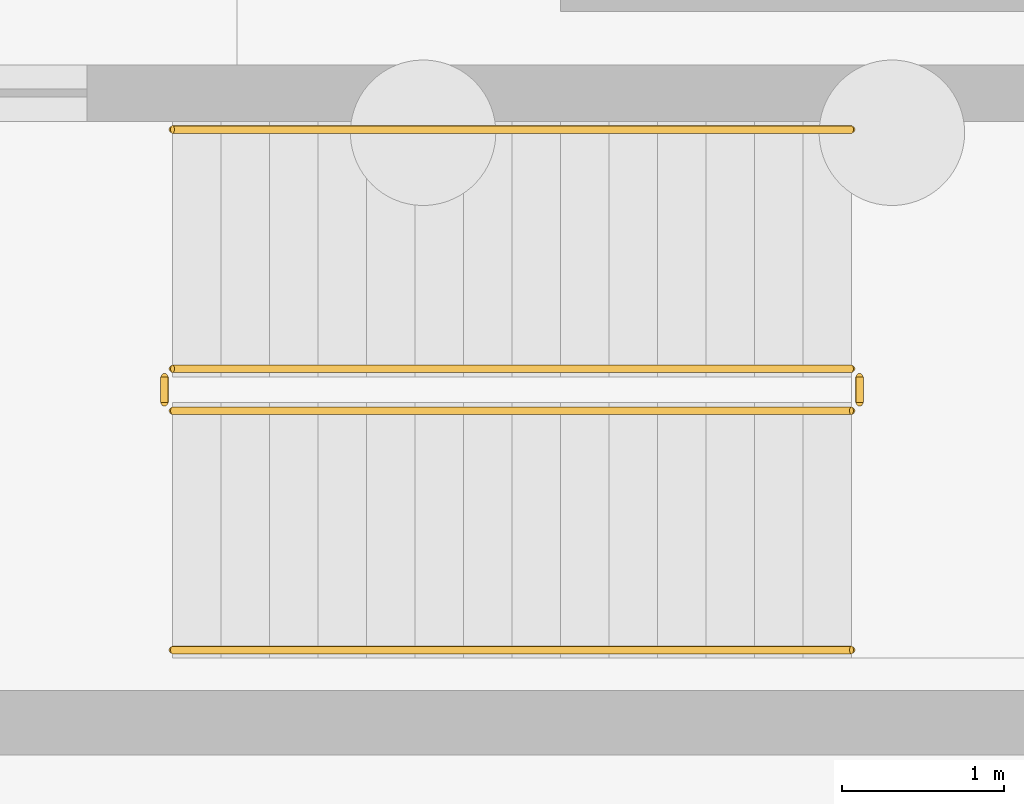
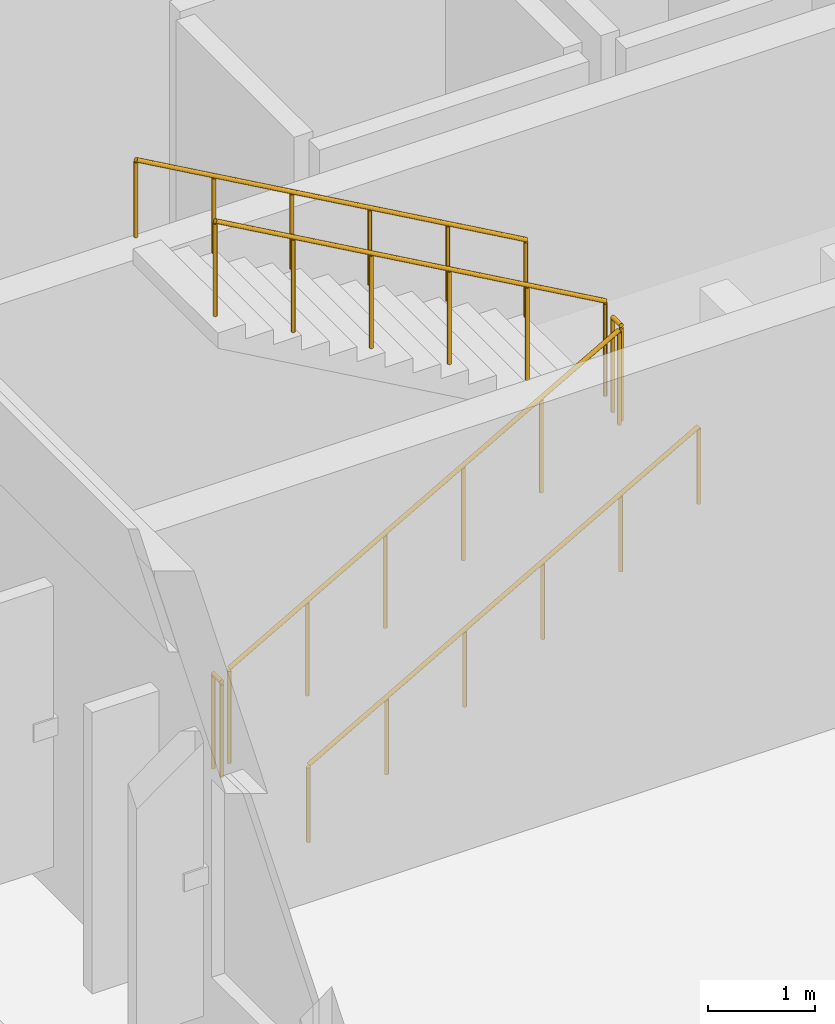
# One storey, part 82 of 94: 6 railings.
"""IFC4 building model written with IfcOpenShell, lengths in metres."""

from ifc_helpers import new_model, si_unit, direction, frame, origin, origin_2d, place, context, subcontext, project, spatial, circle, extrude, material, type_object, element, save


model = new_model("IFC4")

# Units and contexts
model_context = context("Model", 3, precision=1e-05, world=origin(), true_north=direction((0.0, 1.0)))
body_context = subcontext(model_context, "Body", "Model", "MODEL_VIEW")
ifc_project = project(units=[si_unit("LENGTHUNIT", "METRE"), si_unit("AREAUNIT", "SQUARE_METRE"), si_unit("VOLUMEUNIT", "CUBIC_METRE"), si_unit("PLANEANGLEUNIT", "RADIAN"), si_unit("MASSUNIT", "GRAM", prefix="KILO")], contexts=[model_context])

# Site, building, storey
site_placement = place(None, origin())
site = spatial("IfcSite", under=ifc_project, at=site_placement, CompositionType="ELEMENT")
building_placement = place(site_placement, origin())
building = spatial("IfcBuilding", under=site, at=building_placement, Name="Vervanel Yard Central Library", CompositionType="ELEMENT")
storey_placement = place(building_placement, origin())
storey = spatial("IfcBuildingStorey", under=building, at=storey_placement, Name="L00", CompositionType="ELEMENT", Elevation=0.0)

# Railings
ifc_material_1 = material(Name="Brushed stainless steel AISI 316", Category="steel")
railing_type_1 = type_object("IfcRailingType", Name="Brushed Stainless Stair Handrail 900", PredefinedType="HANDRAIL", material=ifc_material_1)
railing_1_placement = place(storey_placement, frame((2.199951171875, 56.449951171875, 0.169921875)))
element("IfcRailing", 1, at=railing_1_placement, inside=storey, type_object=railing_type_1, Name="L00 ST-03 stair handrail 1", PredefinedType="HANDRAIL", context=body_context, shape_type="SweptSolid", body=[
    extrude(circle(Radius=0.02392578125, at=origin_2d()), frame((0.0, 0.0, 0.8759765625), z_axis=(0.870008446991, 0.0, 0.493036816236), x_axis=(0.0, 1.0, 0.0)), (0.0, 0.0, 1.0), 4.827392578125),
    extrude(circle(Radius=0.02099609375, at=origin_2d()), origin(), (0.0, 0.0, 1.0), 0.851806640625),
    extrude(circle(Radius=0.02099609375, at=origin_2d()), frame((0.840087890625, 0.0, 0.47607421875)), (0.0, 0.0, 1.0), 0.851806640625),
    extrude(circle(Radius=0.02099609375, at=origin_2d()), frame((1.679931640625, 0.0, 0.9521484375)), (0.0, 0.0, 1.0), 0.851806640625),
    extrude(circle(Radius=0.02099609375, at=origin_2d()), frame((2.52001953125, 0.0, 1.427978515625)), (0.0, 0.0, 1.0), 0.851806640625),
    extrude(circle(Radius=0.02099609375, at=origin_2d()), frame((3.35986328125, 0.0, 1.904052734375)), (0.0, 0.0, 1.0), 0.851806640625),
    extrude(circle(Radius=0.02099609375, at=origin_2d()), frame((4.199951171875, 0.0, 2.380126953125)), (0.0, 0.0, 1.0), 0.851806640625),
])
railing_2_placement = place(storey_placement, frame((6.39990234375, 59.669921875, 2.719970703125)))
element("IfcRailing", 2, at=railing_2_placement, inside=storey, type_object=railing_type_1, Name="L00 ST-03 stair handrail 2", PredefinedType="HANDRAIL", context=body_context, shape_type="SweptSolid", body=[
    extrude(circle(Radius=0.02392578125, at=origin_2d()), frame((0.0, 0.0, 0.8759765625), z_axis=(-0.870008446991, 0.0, 0.493036816236), x_axis=(0.0, -1.0, 0.0)), (0.0, 0.0, 1.0), 4.827392578125),
    extrude(circle(Radius=0.02099609375, at=origin_2d()), origin(), (0.0, 0.0, 1.0), 0.851806640625),
    extrude(circle(Radius=0.02099609375, at=origin_2d()), frame((-0.840087890625, 0.0, 0.47607421875)), (0.0, 0.0, 1.0), 0.851806640625),
    extrude(circle(Radius=0.02099609375, at=origin_2d()), frame((-1.679931640625, 0.0, 0.9521484375)), (0.0, 0.0, 1.0), 0.851806640625),
    extrude(circle(Radius=0.02099609375, at=origin_2d()), frame((-2.52001953125, 0.0, 1.427978515625)), (0.0, 0.0, 1.0), 0.851806640625),
    extrude(circle(Radius=0.02099609375, at=origin_2d()), frame((-3.35986328125, 0.0, 1.904052734375)), (0.0, 0.0, 1.0), 0.851806640625),
    extrude(circle(Radius=0.02099609375, at=origin_2d()), frame((-4.199951171875, 0.0, 2.380126953125)), (0.0, 0.0, 1.0), 0.851806640625),
])
ifc_material_2 = material(Name="Galvanized painted steelwork ASTM A500 Grade C", Category="steel")
railing_type_2 = type_object("IfcRailingType", Name="Painted Steel Guardrail 1100", PredefinedType="GUARDRAIL", material=ifc_material_2)
railing_3_placement = place(storey_placement, frame((2.199951171875, 57.929931640625, 0.169921875)))
element("IfcRailing", 3, at=railing_3_placement, inside=storey, type_object=railing_type_2, Name="L00 ST-03 stair guard 1", PredefinedType="GUARDRAIL", context=body_context, shape_type="SweptSolid", body=[
    extrude(circle(Radius=0.02392578125, at=origin_2d()), frame((0.0, 0.0, 1.076171875), z_axis=(0.870008446991, 0.0, 0.493036816236), x_axis=(0.0, 1.0, 0.0)), (0.0, 0.0, 1.0), 4.827392578125),
    extrude(circle(Radius=0.02099609375, at=origin_2d()), origin(), (0.0, 0.0, 1.0), 1.052001953125),
    extrude(circle(Radius=0.02099609375, at=origin_2d()), frame((0.840087890625, 0.0, 0.47607421875)), (0.0, 0.0, 1.0), 1.052001953125),
    extrude(circle(Radius=0.02099609375, at=origin_2d()), frame((1.679931640625, 0.0, 0.9521484375)), (0.0, 0.0, 1.0), 1.052001953125),
    extrude(circle(Radius=0.02099609375, at=origin_2d()), frame((2.52001953125, 0.0, 1.427978515625)), (0.0, 0.0, 1.0), 1.052001953125),
    extrude(circle(Radius=0.02099609375, at=origin_2d()), frame((3.35986328125, 0.0, 1.904052734375)), (0.0, 0.0, 1.0), 1.052001953125),
    extrude(circle(Radius=0.02099609375, at=origin_2d()), frame((4.199951171875, 0.0, 2.380126953125)), (0.0, 0.0, 1.0), 1.052001953125),
])
railing_4_placement = place(storey_placement, frame((6.449951171875, 57.97998046875, 2.550048828125)))
element("IfcRailing", 4, at=railing_4_placement, inside=storey, type_object=railing_type_2, Name="L00 ST-03 stair guard 2", PredefinedType="GUARDRAIL", context=body_context, shape_type="SweptSolid", body=[
    extrude(circle(Radius=0.02392578125, at=origin_2d()), frame((0.0, 0.0, 1.076171875), z_axis=(0.0, 1.0, 0.0), x_axis=(-1.0, 0.0, 0.0)), (0.0, 0.0, 1.0), 0.159912109375),
    extrude(circle(Radius=0.02099609375, at=origin_2d()), origin(), (0.0, 0.0, 1.0), 1.052001953125),
    extrude(circle(Radius=0.02099609375, at=origin_2d()), frame((0.0, 0.159912109375, 0.0)), (0.0, 0.0, 1.0), 1.052001953125),
])
railing_5_placement = place(storey_placement, frame((6.39990234375, 58.18994140625, 2.719970703125)))
element("IfcRailing", 5, at=railing_5_placement, inside=storey, type_object=railing_type_2, Name="L00 ST-03 stair guard 3", PredefinedType="GUARDRAIL", context=body_context, shape_type="SweptSolid", body=[
    extrude(circle(Radius=0.02392578125, at=origin_2d()), frame((0.0, 0.0, 1.076171875), z_axis=(-0.870008446991, 0.0, 0.493036816236), x_axis=(0.0, -1.0, 0.0)), (0.0, 0.0, 1.0), 4.827392578125),
    extrude(circle(Radius=0.02099609375, at=origin_2d()), origin(), (0.0, 0.0, 1.0), 1.052001953125),
    extrude(circle(Radius=0.02099609375, at=origin_2d()), frame((-0.840087890625, 0.0, 0.47607421875)), (0.0, 0.0, 1.0), 1.052001953125),
    extrude(circle(Radius=0.02099609375, at=origin_2d()), frame((-1.679931640625, 0.0, 0.9521484375)), (0.0, 0.0, 1.0), 1.052001953125),
    extrude(circle(Radius=0.02099609375, at=origin_2d()), frame((-2.52001953125, 0.0, 1.427978515625)), (0.0, 0.0, 1.0), 1.052001953125),
    extrude(circle(Radius=0.02099609375, at=origin_2d()), frame((-3.35986328125, 0.0, 1.904052734375)), (0.0, 0.0, 1.0), 1.052001953125),
    extrude(circle(Radius=0.02099609375, at=origin_2d()), frame((-4.199951171875, 0.0, 2.380126953125)), (0.0, 0.0, 1.0), 1.052001953125),
])
railing_6_placement = place(storey_placement, frame((2.14990234375, 57.97998046875, 0.0)))
element("IfcRailing", 6, at=railing_6_placement, inside=storey, type_object=railing_type_2, Name="L00 ST-03 stair guard 4", PredefinedType="GUARDRAIL", context=body_context, shape_type="SweptSolid", body=[
    extrude(circle(Radius=0.02392578125, at=origin_2d()), frame((0.0, 0.0, 1.076171875), z_axis=(0.0, 1.0, 0.0), x_axis=(-1.0, 0.0, 0.0)), (0.0, 0.0, 1.0), 0.159912109375),
    extrude(circle(Radius=0.02099609375, at=origin_2d()), origin(), (0.0, 0.0, 1.0), 1.052001953125),
    extrude(circle(Radius=0.02099609375, at=origin_2d()), frame((0.0, 0.159912109375, 0.0)), (0.0, 0.0, 1.0), 1.052001953125),
])

save(model, "model.ifc")
